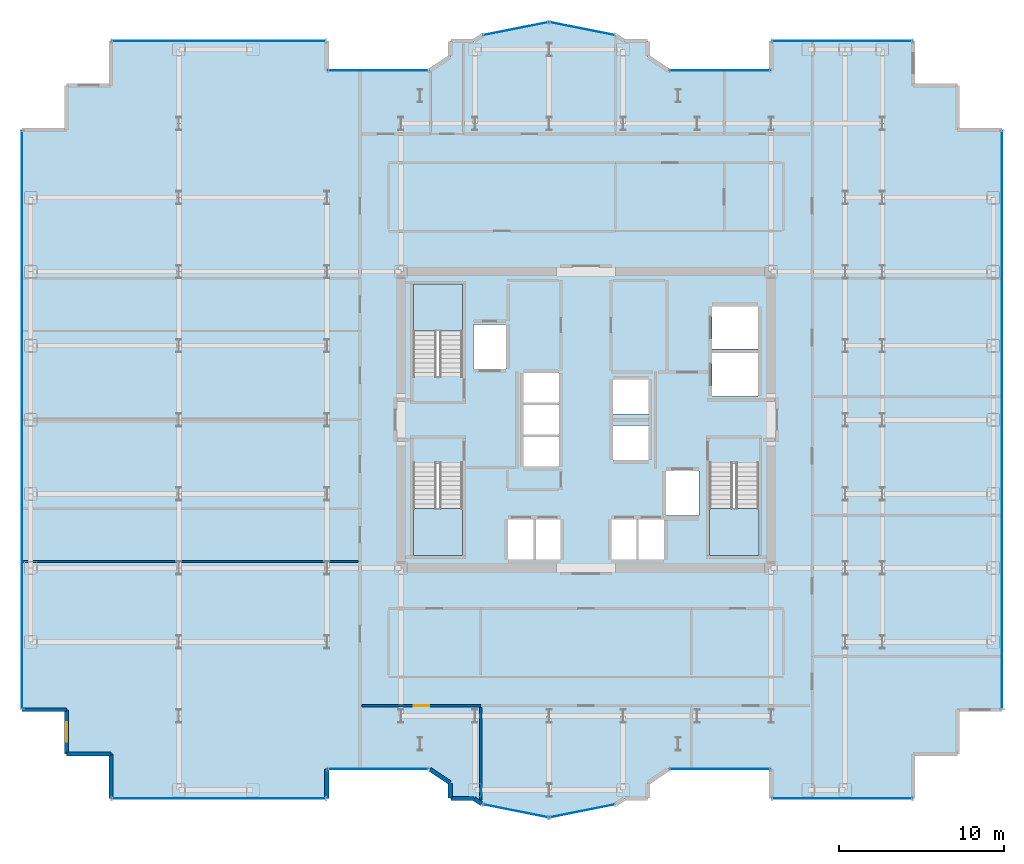
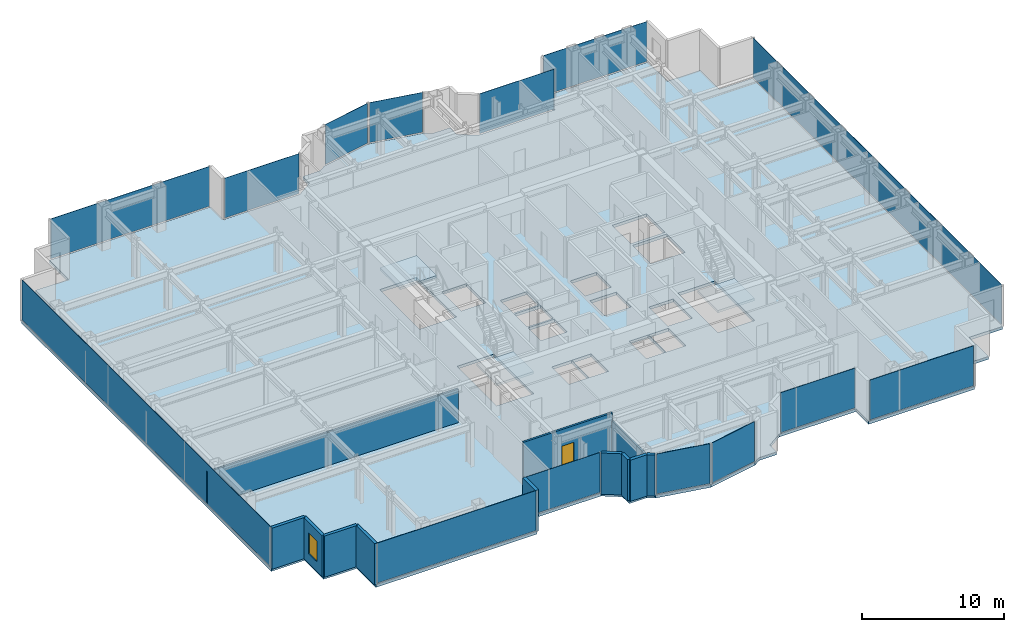
# One storey, part 16 of 23: 14 plates, 12 walls, 4 slabs, 1 door, 1 window, 2 openings, 17 elements without a shape of their own.
"""IFC4 building model written with IfcOpenShell, lengths in metres."""

from ifc_helpers import new_model, si_unit, direction, frame, frame_2d, origin, origin_2d, place, context, subcontext, project, spatial, polyline, rectangle, outline, extrude, source, transform, mapped, material, layer, layer_set, type_object, element, fill, aggregate, save


model = new_model("IFC4")

# Units and contexts
model_context = context("Model", 3, precision=1e-05, world=origin(), true_north=direction((0.0, 1.0)))
body_context = subcontext(model_context, "Body", "Model", "MODEL_VIEW")
ifc_project = project(units=[si_unit("LENGTHUNIT", "METRE"), si_unit("AREAUNIT", "SQUARE_METRE"), si_unit("VOLUMEUNIT", "CUBIC_METRE"), si_unit("PLANEANGLEUNIT", "RADIAN"), si_unit("MASSUNIT", "GRAM", prefix="KILO")], contexts=[model_context])

# Site, building, storey
site_placement = place(None, origin())
site = spatial("IfcSite", under=ifc_project, at=site_placement, CompositionType="ELEMENT")
building_placement = place(site_placement, origin())
building = spatial("IfcBuilding", under=site, at=building_placement, Name="Nefas-Gora Pilgrimage Tower", CompositionType="ELEMENT")
storey_placement = place(building_placement, frame((0.0, 0.0, 190.60009765625)))
storey = spatial("IfcBuildingStorey", under=building, at=storey_placement, Name="L47", CompositionType="ELEMENT", Elevation=190.60009765625)

# Slab
ifc_material_1 = material(Name="Concrete C40/50", Category="concrete")
ifc_layer_1 = layer(ifc_material_1, 0.25)
ifc_layer_set_1 = layer_set([ifc_layer_1], Name="Concrete C40/50")
slab_type_1 = type_object("IfcSlabType", Name="SLB-TWR-250", PredefinedType="FLOOR", material=ifc_layer_set_1)
slab_1_placement = place(storey_placement, frame((0.0, 0.0, -0.25)))
element("IfcSlab", 1, at=slab_1_placement, inside=storey, type_object=slab_type_1, Name="L47 Structural Floor Slab", PredefinedType="FLOOR", context=body_context, shape_type="SweptSolid", body=[
    extrude(outline(polyline([(5.01806640625, -21.219970703125), (11.25, -21.219970703125), (11.25, -23.02001953125), (19.8701171875, -23.02001953125), (19.8701171875, -20.320068359375), (22.570068359375, -20.320068359375), (22.570068359375, -17.6201171875), (25.27001953125, -17.6201171875), (25.27001953125, 17.6201171875), (22.570068359375, 17.6201171875), (22.570068359375, 20.320068359375), (19.8701171875, 20.320068359375), (19.8701171875, 23.02001953125), (11.25, 23.02001953125), (11.25, 21.219970703125), (5.01806640625, 21.219970703125), (3.75, 22.0673828125), (3.75, 23.02001953125), (2.32421875, 23.02001953125), (1.807373046875, 23.365234375), (-2.25, 24.17236328125), (-6.307373046875, 23.365234375), (-6.82421875, 23.02001953125), (-8.25, 23.02001953125), (-8.25, 22.0673828125), (-9.51806640625, 21.219970703125), (-15.75, 21.219970703125), (-15.75, 23.02001953125), (-28.8701171875, 23.02001953125), (-28.8701171875, 20.320068359375), (-31.570068359375, 20.320068359375), (-31.570068359375, 17.6201171875), (-34.27001953125, 17.6201171875), (-34.27001953125, -17.6201171875), (-31.570068359375, -17.6201171875), (-31.570068359375, -20.320068359375), (-28.8701171875, -20.320068359375), (-28.8701171875, -23.02001953125), (-15.75, -23.02001953125), (-15.75, -21.219970703125), (-9.51806640625, -21.219970703125), (-8.25, -22.0673828125), (-8.25, -23.02001953125), (-6.82421875, -23.02001953125), (-6.307373046875, -23.365234375), (-2.25, -24.17236328125), (1.807373046875, -23.365234375), (2.32421875, -23.02001953125), (3.75, -23.02001953125), (3.75, -22.0673828125), (5.01806640625, -21.219970703125)]), holes=[polyline([(-10.5, 2.639892578125), (-10.5, 8.25), (-7.5, 8.25), (-7.5, 2.639892578125), (-10.5, 2.639892578125)]), polyline([(10.5, -2.639892578125), (10.5, -8.25), (7.5, -8.25), (7.5, -2.639892578125), (10.5, -2.639892578125)]), polyline([(-7.5, -2.639892578125), (-7.5, -8.25), (-10.5, -8.25), (-10.5, -2.639892578125), (-7.5, -2.639892578125)]), polyline([(-6.85009765625, 5.800048828125), (-4.85009765625, 5.800048828125), (-4.85009765625, 3.10009765625), (-6.85009765625, 3.10009765625), (-6.85009765625, 5.800048828125)]), polyline([(4.85009765625, -3.10009765625), (6.85009765625, -3.10009765625), (6.85009765625, -5.800048828125), (4.85009765625, -5.800048828125), (4.85009765625, -3.10009765625)]), polyline([(7.64990234375, 4.050048828125), (10.449951171875, 4.050048828125), (10.449951171875, 1.449951171875), (7.64990234375, 1.449951171875), (7.64990234375, 4.050048828125)]), polyline([(7.64990234375, 6.89990234375), (10.449951171875, 6.89990234375), (10.449951171875, 4.300048828125), (7.64990234375, 4.300048828125), (7.64990234375, 6.89990234375)]), polyline([(-4.75, -6.050048828125), (-3.14990234375, -6.050048828125), (-3.14990234375, -8.5), (-4.75, -8.5), (-4.75, -6.050048828125)]), polyline([(-3.10009765625, -6.050048828125), (-1.550048828125, -6.050048828125), (-1.550048828125, -8.5), (-3.10009765625, -8.5), (-3.10009765625, -6.050048828125)]), polyline([(1.550048828125, -6.050048828125), (3.10009765625, -6.050048828125), (3.10009765625, -8.5), (1.550048828125, -8.5), (1.550048828125, -6.050048828125)]), polyline([(3.14990234375, -6.050048828125), (4.75, -6.050048828125), (4.75, -8.5), (3.14990234375, -8.5), (3.14990234375, -6.050048828125)]), polyline([(-3.800048828125, -1.050048828125), (-1.64990234375, -1.050048828125), (-1.64990234375, -2.85009765625), (-3.800048828125, -2.85009765625), (-3.800048828125, -1.050048828125)]), polyline([(-3.800048828125, 0.89990234375), (-1.64990234375, 0.89990234375), (-1.64990234375, -0.89990234375), (-3.800048828125, -0.89990234375), (-3.800048828125, 0.89990234375)]), polyline([(-3.800048828125, 2.85009765625), (-1.64990234375, 2.85009765625), (-1.64990234375, 1.050048828125), (-3.800048828125, 1.050048828125), (-3.800048828125, 2.85009765625)]), polyline([(1.64990234375, -0.35009765625), (3.800048828125, -0.35009765625), (3.800048828125, -2.449951171875), (1.64990234375, -2.449951171875), (1.64990234375, -0.35009765625)]), polyline([(1.64990234375, 2.449951171875), (3.800048828125, 2.449951171875), (3.800048828125, 0.35009765625), (1.64990234375, 0.35009765625), (1.64990234375, 2.449951171875)])]), origin(), (0.0, 0.0, 1.0), 0.25),
])

# Stair, slab
ifc_material_2 = material(Name="Concrete C45/55", Category="concrete")
stair_type = type_object("IfcStairType", Name="STR-1400-R1727", PredefinedType="HALF_TURN_STAIR", material=ifc_material_2)
stair_1_placement = place(storey_placement, origin())
stair_1 = element("IfcStair", 2, at=stair_1_placement, inside=storey, type_object=stair_type, Name="L47 Pressurised Tower Exit Stair ST-01", PredefinedType="HALF_TURN_STAIR")
ifc_layer_2 = layer(ifc_material_1, 0.199951171875)
ifc_layer_set_2 = layer_set([ifc_layer_2], Name="Concrete C40/50")
slab_type_2 = type_object("IfcSlabType", Name="STR-LAND-200", PredefinedType="LANDING", material=ifc_layer_set_2)
slab_2_placement = place(storey_placement, frame((0.0, 0.0, 1.699951171875)))
slab_2 = element("IfcSlab", 3, at=slab_2_placement, type_object=slab_type_2, Name="ST-01 landing 1", PredefinedType="LANDING", context=body_context, shape_type="SweptSolid", body=[
    extrude(outline(polyline([(-7.5, 5.39990234375), (-7.5, 8.25), (-10.5, 8.25), (-10.5, 5.39990234375), (-7.5, 5.39990234375)])), origin(), (0.0, 0.0, 1.0), 0.199951171875),
])
aggregate(stair_1, [slab_2])

stair_2_placement = place(storey_placement, origin())
stair_2 = element("IfcStair", 4, at=stair_2_placement, inside=storey, type_object=stair_type, Name="L47 Pressurised Tower Exit Stair ST-02", PredefinedType="HALF_TURN_STAIR")
slab_3_placement = place(storey_placement, frame((0.0, 0.0, 1.699951171875)))
slab_3 = element("IfcSlab", 5, at=slab_3_placement, type_object=slab_type_2, Name="ST-02 landing 1", PredefinedType="LANDING", context=body_context, shape_type="SweptSolid", body=[
    extrude(outline(polyline([(7.5, -5.39990234375), (7.5, -8.25), (10.5, -8.25), (10.5, -5.39990234375), (7.5, -5.39990234375)])), origin(), (0.0, 0.0, 1.0), 0.199951171875),
])
aggregate(stair_2, [slab_3])

stair_3_placement = place(storey_placement, origin())
stair_3 = element("IfcStair", 6, at=stair_3_placement, inside=storey, type_object=stair_type, Name="L47 Pressurised Tower Exit Stair ST-03", PredefinedType="HALF_TURN_STAIR")
slab_4_placement = place(storey_placement, frame((0.0, 0.0, 1.699951171875)))
slab_4 = element("IfcSlab", 7, at=slab_4_placement, type_object=slab_type_2, Name="ST-03 landing 1", PredefinedType="LANDING", context=body_context, shape_type="SweptSolid", body=[
    extrude(outline(polyline([(-10.5, -5.39990234375), (-10.5, -8.25), (-7.5, -8.25), (-7.5, -5.39990234375), (-10.5, -5.39990234375)])), origin(), (0.0, 0.0, 1.0), 0.199951171875),
])
aggregate(stair_3, [slab_4])

# Curtain wall, plate
ifc_material_3 = material(Name="Dark ceramic-fritted solar-control aluminium-glass curtain wall", Category="aluminium")
ifc_layer_3 = layer(ifc_material_3, 0.219970703125)
ifc_layer_set_3 = layer_set([ifc_layer_3], Name="Dark ceramic-fritted solar-control aluminium-glass curtain wall")
curtain_wall_type_1 = type_object("IfcCurtainWallType", Name="CW-SYS-5", PredefinedType="NOTDEFINED", material=ifc_layer_set_3)
curtain_wall_1_placement = place(storey_placement, origin())
curtain_wall_1 = element("IfcCurtainWall", 8, at=curtain_wall_1_placement, inside=storey, type_object=curtain_wall_type_1, Name="L47 Unitised Curtain Wall CW5", PredefinedType="NOTDEFINED")
ifc_material_4 = material(Name="Dark ceramic-printed low-e insulated glass", Category="glass")
ifc_layer_4 = layer(ifc_material_4, 0.028076171875)
ifc_layer_set_4 = layer_set([ifc_layer_4], Name="Dark ceramic-printed low-e insulated glass")
plate_type_1 = type_object("IfcPlateType", Name="CWP-PNL-5", PredefinedType="CURTAIN_PANEL", material=ifc_layer_set_4)
shared_shape_1 = source(origin(), body_context, "Body", "SweptSolid", [
    extrude(rectangle(XDim=6.052001953125, YDim=0.028076171875, at=origin_2d()), origin(), (0.0, 0.0, 1.0), 3.43994140625),
])
plate_1_placement = place(storey_placement, frame((8.134033203125, -21.219970703125, 0.099853515625), z_axis=(0.0, 0.0, 1.0), x_axis=(1.0, 0.0, 0.0)))
plate_1 = element("IfcPlate", 9, at=plate_1_placement, type_object=plate_type_1, Name="CW5 Ceramic-Fritted Glazing Panel 1", PredefinedType="CURTAIN_PANEL", context=body_context, shape_type="MappedRepresentation", body=[
    mapped(shared_shape_1, transform((0.0, 0.0, 0.0), x_axis=(1.0, 0.0, 0.0), y_axis=(0.0, 1.0, 0.0), z_axis=(0.0, 0.0, 1.0), scale=1.0)),
])
aggregate(curtain_wall_1, [plate_1])

curtain_wall_2_placement = place(storey_placement, origin())
curtain_wall_2 = element("IfcCurtainWall", 10, at=curtain_wall_2_placement, inside=storey, type_object=curtain_wall_type_1, Name="L47 Unitised Curtain Wall CW5", PredefinedType="NOTDEFINED")
plate_2_placement = place(storey_placement, frame((8.134033203125, 21.219970703125, 0.099853515625), z_axis=(0.0, 0.0, 1.0), x_axis=(-1.0, 0.0, 0.0)))
plate_2 = element("IfcPlate", 11, at=plate_2_placement, type_object=plate_type_1, Name="CW5 Ceramic-Fritted Glazing Panel 1", PredefinedType="CURTAIN_PANEL", context=body_context, shape_type="MappedRepresentation", body=[
    mapped(shared_shape_1, transform((0.0, 0.0, 0.0), x_axis=(1.0, 0.0, 0.0), y_axis=(0.0, 1.0, 0.0), z_axis=(0.0, 0.0, 1.0), scale=1.0)),
])
aggregate(curtain_wall_2, [plate_2])

curtain_wall_3_placement = place(storey_placement, origin())
curtain_wall_3 = element("IfcCurtainWall", 12, at=curtain_wall_3_placement, inside=storey, type_object=curtain_wall_type_1, Name="L47 Unitised Curtain Wall CW5", PredefinedType="NOTDEFINED")
plate_3_placement = place(storey_placement, frame((-12.634033203125, 21.219970703125, 0.099853515625), z_axis=(0.0, 0.0, 1.0), x_axis=(-1.0, 0.0, 0.0)))
plate_3 = element("IfcPlate", 13, at=plate_3_placement, type_object=plate_type_1, Name="CW5 Ceramic-Fritted Glazing Panel 1", PredefinedType="CURTAIN_PANEL", context=body_context, shape_type="MappedRepresentation", body=[
    mapped(shared_shape_1, transform((0.0, 0.0, 0.0), x_axis=(1.0, 0.0, 0.0), y_axis=(0.0, 1.0, 0.0), z_axis=(0.0, 0.0, 1.0), scale=1.0)),
])
aggregate(curtain_wall_3, [plate_3])

curtain_wall_4_placement = place(storey_placement, origin())
curtain_wall_4 = element("IfcCurtainWall", 14, at=curtain_wall_4_placement, inside=storey, type_object=curtain_wall_type_1, Name="L47 Unitised Curtain Wall CW5", PredefinedType="NOTDEFINED")
plate_4_placement = place(storey_placement, frame((-12.634033203125, -21.219970703125, 0.099853515625), z_axis=(0.0, 0.0, 1.0), x_axis=(1.0, 0.0, 0.0)))
plate_4 = element("IfcPlate", 15, at=plate_4_placement, type_object=plate_type_1, Name="CW5 Ceramic-Fritted Glazing Panel 1", PredefinedType="CURTAIN_PANEL", context=body_context, shape_type="MappedRepresentation", body=[
    mapped(shared_shape_1, transform((0.0, 0.0, 0.0), x_axis=(1.0, 0.0, 0.0), y_axis=(0.0, 1.0, 0.0), z_axis=(0.0, 0.0, 1.0), scale=1.0)),
])
aggregate(curtain_wall_4, [plate_4])

curtain_wall_5_placement = place(storey_placement, origin())
curtain_wall_5 = element("IfcCurtainWall", 16, at=curtain_wall_5_placement, inside=storey, type_object=curtain_wall_type_1, Name="L47 Unitised Curtain Wall CW5", PredefinedType="NOTDEFINED")
shared_shape_2 = source(origin(), body_context, "Body", "SweptSolid", [
    extrude(rectangle(XDim=3.956787109375, YDim=0.028076171875, at=origin_2d()), origin(), (0.0, 0.0, 1.0), 3.43994140625),
])
plate_5_placement = place(storey_placement, frame((-0.22119140625, 23.768798828125, 0.099853515625), z_axis=(0.0, 0.0, 1.0), x_axis=(-0.980782896852, 0.195102304554, 0.0)))
plate_5 = element("IfcPlate", 17, at=plate_5_placement, type_object=plate_type_1, Name="CW5 Ceramic-Fritted Glazing Panel 1", PredefinedType="CURTAIN_PANEL", context=body_context, shape_type="MappedRepresentation", body=[
    mapped(shared_shape_2, transform((0.0, 0.0, 0.0), x_axis=(1.0, 0.0, 0.0), y_axis=(0.0, 1.0, 0.0), z_axis=(0.0, 0.0, 1.0), scale=1.0)),
])
aggregate(curtain_wall_5, [plate_5])

curtain_wall_6_placement = place(storey_placement, origin())
curtain_wall_6 = element("IfcCurtainWall", 18, at=curtain_wall_6_placement, inside=storey, type_object=curtain_wall_type_1, Name="L47 Unitised Curtain Wall CW5", PredefinedType="NOTDEFINED")
plate_6_placement = place(storey_placement, frame((-4.278564453125, 23.768798828125, 0.099853515625), z_axis=(0.0, 0.0, 1.0), x_axis=(-0.980782896852, -0.195102304554, 0.0)))
plate_6 = element("IfcPlate", 19, at=plate_6_placement, type_object=plate_type_1, Name="CW5 Ceramic-Fritted Glazing Panel 1", PredefinedType="CURTAIN_PANEL", context=body_context, shape_type="MappedRepresentation", body=[
    mapped(shared_shape_2, transform((0.0, 0.0, 0.0), x_axis=(1.0, 0.0, 0.0), y_axis=(0.0, 1.0, 0.0), z_axis=(0.0, 0.0, 1.0), scale=1.0)),
])
aggregate(curtain_wall_6, [plate_6])

curtain_wall_7_placement = place(storey_placement, origin())
curtain_wall_7 = element("IfcCurtainWall", 20, at=curtain_wall_7_placement, inside=storey, type_object=curtain_wall_type_1, Name="L47 Unitised Curtain Wall CW5", PredefinedType="NOTDEFINED")
plate_7_placement = place(storey_placement, frame((-4.278564453125, -23.768798828125, 0.099853515625), z_axis=(0.0, 0.0, 1.0), x_axis=(0.980782896852, -0.195102304554, 0.0)))
plate_7 = element("IfcPlate", 21, at=plate_7_placement, type_object=plate_type_1, Name="CW5 Ceramic-Fritted Glazing Panel 1", PredefinedType="CURTAIN_PANEL", context=body_context, shape_type="MappedRepresentation", body=[
    mapped(shared_shape_2, transform((0.0, 0.0, 0.0), x_axis=(1.0, 0.0, 0.0), y_axis=(0.0, 1.0, 0.0), z_axis=(0.0, 0.0, 1.0), scale=1.0)),
])
aggregate(curtain_wall_7, [plate_7])

curtain_wall_8_placement = place(storey_placement, origin())
curtain_wall_8 = element("IfcCurtainWall", 22, at=curtain_wall_8_placement, inside=storey, type_object=curtain_wall_type_1, Name="L47 Unitised Curtain Wall CW5", PredefinedType="NOTDEFINED")
plate_8_placement = place(storey_placement, frame((-0.221435546875, -23.768798828125, 0.099853515625), z_axis=(0.0, 0.0, 1.0), x_axis=(0.980782896852, 0.195102304554, 0.0)))
plate_8 = element("IfcPlate", 23, at=plate_8_placement, type_object=plate_type_1, Name="CW5 Ceramic-Fritted Glazing Panel 1", PredefinedType="CURTAIN_PANEL", context=body_context, shape_type="MappedRepresentation", body=[
    mapped(shared_shape_2, transform((0.0, 0.0, 0.0), x_axis=(1.0, 0.0, 0.0), y_axis=(0.0, 1.0, 0.0), z_axis=(0.0, 0.0, 1.0), scale=1.0)),
])
aggregate(curtain_wall_8, [plate_8])

ifc_layer_5 = layer(ifc_material_3, 0.219970703125)
ifc_layer_set_5 = layer_set([ifc_layer_5], Name="Dark ceramic-fritted solar-control aluminium-glass curtain wall")
curtain_wall_type_2 = type_object("IfcCurtainWallType", Name="CW-SYS-3", PredefinedType="NOTDEFINED", material=ifc_layer_set_5)
curtain_wall_9_placement = place(storey_placement, origin())
curtain_wall_9 = element("IfcCurtainWall", 24, at=curtain_wall_9_placement, inside=storey, type_object=curtain_wall_type_2, Name="L47 Unitised Curtain Wall CW3", PredefinedType="NOTDEFINED")
ifc_layer_6 = layer(ifc_material_4, 0.033935546875)
ifc_layer_set_6 = layer_set([ifc_layer_6], Name="Dark ceramic-printed low-e insulated glass")
plate_type_2 = type_object("IfcPlateType", Name="CWP-PNL-3", PredefinedType="CURTAIN_PANEL", material=ifc_layer_set_6)
shared_shape_3 = source(origin(), body_context, "Body", "SweptSolid", [
    extrude(rectangle(XDim=8.43994140625, YDim=0.033935546875, at=origin_2d()), origin(), (0.0, 0.0, 1.0), 3.43994140625),
])
plate_9_placement = place(storey_placement, frame((15.56005859375, -23.02001953125, 0.099853515625), z_axis=(0.0, 0.0, 1.0), x_axis=(1.0, 0.0, 0.0)))
plate_9 = element("IfcPlate", 25, at=plate_9_placement, type_object=plate_type_2, Name="CW3 Ceramic-Fritted Glazing Panel 1", PredefinedType="CURTAIN_PANEL", context=body_context, shape_type="MappedRepresentation", body=[
    mapped(shared_shape_3, transform((0.0, 0.0, 0.0), x_axis=(1.0, 0.0, 0.0), y_axis=(0.0, 1.0, 0.0), z_axis=(0.0, 0.0, 1.0), scale=1.0)),
])
aggregate(curtain_wall_9, [plate_9])

curtain_wall_10_placement = place(storey_placement, origin())
curtain_wall_10 = element("IfcCurtainWall", 26, at=curtain_wall_10_placement, inside=storey, type_object=curtain_wall_type_2, Name="L47 Unitised Curtain Wall CW3", PredefinedType="NOTDEFINED")
plate_10_placement = place(storey_placement, frame((15.56005859375, 23.02001953125, 0.099853515625), z_axis=(0.0, 0.0, 1.0), x_axis=(-1.0, 0.0, 0.0)))
plate_10 = element("IfcPlate", 27, at=plate_10_placement, type_object=plate_type_2, Name="CW3 Ceramic-Fritted Glazing Panel 1", PredefinedType="CURTAIN_PANEL", context=body_context, shape_type="MappedRepresentation", body=[
    mapped(shared_shape_3, transform((0.0, 0.0, 0.0), x_axis=(1.0, 0.0, 0.0), y_axis=(0.0, 1.0, 0.0), z_axis=(0.0, 0.0, 1.0), scale=1.0)),
])
aggregate(curtain_wall_10, [plate_10])

curtain_wall_11_placement = place(storey_placement, origin())
curtain_wall_11 = element("IfcCurtainWall", 28, at=curtain_wall_11_placement, inside=storey, type_object=curtain_wall_type_2, Name="L47 Unitised Curtain Wall CW3", PredefinedType="NOTDEFINED")
shared_shape_4 = source(origin(), body_context, "Body", "SweptSolid", [
    extrude(rectangle(XDim=12.93994140625, YDim=0.033935546875, at=origin_2d()), origin(), (0.0, 0.0, 1.0), 3.43994140625),
])
plate_11_placement = place(storey_placement, frame((-22.31005859375, 23.02001953125, 0.099853515625), z_axis=(0.0, 0.0, 1.0), x_axis=(-1.0, 0.0, 0.0)))
plate_11 = element("IfcPlate", 29, at=plate_11_placement, type_object=plate_type_2, Name="CW3 Ceramic-Fritted Glazing Panel 1", PredefinedType="CURTAIN_PANEL", context=body_context, shape_type="MappedRepresentation", body=[
    mapped(shared_shape_4, transform((0.0, 0.0, 0.0), x_axis=(1.0, 0.0, 0.0), y_axis=(0.0, 1.0, 0.0), z_axis=(0.0, 0.0, 1.0), scale=1.0)),
])
aggregate(curtain_wall_11, [plate_11])

curtain_wall_12_placement = place(storey_placement, origin())
curtain_wall_12 = element("IfcCurtainWall", 30, at=curtain_wall_12_placement, inside=storey, type_object=curtain_wall_type_2, Name="L47 Unitised Curtain Wall CW3", PredefinedType="NOTDEFINED")
plate_12_placement = place(storey_placement, frame((-22.31005859375, -23.02001953125, 0.099853515625), z_axis=(0.0, 0.0, 1.0), x_axis=(1.0, 0.0, 0.0)))
plate_12 = element("IfcPlate", 31, at=plate_12_placement, type_object=plate_type_2, Name="CW3 Ceramic-Fritted Glazing Panel 1", PredefinedType="CURTAIN_PANEL", context=body_context, shape_type="MappedRepresentation", body=[
    mapped(shared_shape_4, transform((0.0, 0.0, 0.0), x_axis=(1.0, 0.0, 0.0), y_axis=(0.0, 1.0, 0.0), z_axis=(0.0, 0.0, 1.0), scale=1.0)),
])
aggregate(curtain_wall_12, [plate_12])

curtain_wall_13_placement = place(storey_placement, origin())
curtain_wall_13 = element("IfcCurtainWall", 32, at=curtain_wall_13_placement, inside=storey, type_object=curtain_wall_type_2, Name="L47 Unitised Curtain Wall CW3", PredefinedType="NOTDEFINED")
shared_shape_5 = source(origin(), body_context, "Body", "SweptSolid", [
    extrude(rectangle(XDim=35.06005859375, YDim=0.033935546875, at=origin_2d()), origin(), (0.0, 0.0, 1.0), 3.43994140625),
])
plate_13_placement = place(storey_placement, frame((25.27001953125, 0.0, 0.099853515625), z_axis=(0.0, 0.0, 1.0), x_axis=(0.0, 1.0, 0.0)))
plate_13 = element("IfcPlate", 33, at=plate_13_placement, type_object=plate_type_2, Name="CW3 Ceramic-Fritted Glazing Panel 1", PredefinedType="CURTAIN_PANEL", context=body_context, shape_type="MappedRepresentation", body=[
    mapped(shared_shape_5, transform((0.0, 0.0, 0.0), x_axis=(1.0, 0.0, 0.0), y_axis=(0.0, 1.0, 0.0), z_axis=(0.0, 0.0, 1.0), scale=1.0)),
])
aggregate(curtain_wall_13, [plate_13])

curtain_wall_14_placement = place(storey_placement, origin())
curtain_wall_14 = element("IfcCurtainWall", 34, at=curtain_wall_14_placement, inside=storey, type_object=curtain_wall_type_2, Name="L47 Unitised Curtain Wall CW3", PredefinedType="NOTDEFINED")
plate_14_placement = place(storey_placement, frame((-34.27001953125, 0.0, 0.099853515625), z_axis=(0.0, 0.0, 1.0), x_axis=(0.0, -1.0, 0.0)))
plate_14 = element("IfcPlate", 35, at=plate_14_placement, type_object=plate_type_2, Name="CW3 Ceramic-Fritted Glazing Panel 1", PredefinedType="CURTAIN_PANEL", context=body_context, shape_type="MappedRepresentation", body=[
    mapped(shared_shape_5, transform((0.0, 0.0, 0.0), x_axis=(1.0, 0.0, 0.0), y_axis=(0.0, 1.0, 0.0), z_axis=(0.0, 0.0, 1.0), scale=1.0)),
])
aggregate(curtain_wall_14, [plate_14])

# Walls
ifc_material_5 = material(Name="Precast concrete C40/50", Category="concrete")
ifc_layer_7 = layer(ifc_material_5, 0.260009765625)
ifc_layer_set_7 = layer_set([ifc_layer_7], Name="Precast concrete C40/50")
wall_type_1 = type_object("IfcWallType", Name="EW-PORTAL-260", PredefinedType="SOLIDWALL", material=ifc_layer_set_7)
shared_shape_6 = source(origin(), body_context, "Body", "SweptSolid", [
    extrude(rectangle(XDim=1.800048828125, YDim=0.260009765625, at=frame_2d((0.89990234375, 0.0))), origin(), (0.0, 0.0, 1.0), 3.5498046875),
])
wall_1_placement = place(storey_placement, frame((-15.75, -23.02001953125, 0.0), z_axis=(0.0, 0.0, 1.0), x_axis=(0.0, 1.0, 0.0)))
element("IfcWall", 36, at=wall_1_placement, inside=storey, type_object=wall_type_1, Name="L47 Lobe Shoulder Precast Spandrel Pier 28", PredefinedType="SOLIDWALL", context=body_context, shape_type="MappedRepresentation", body=[
    mapped(shared_shape_6, transform((0.0, 0.0, 0.0), x_axis=(1.0, 0.0, 0.0), y_axis=(0.0, 1.0, 0.0), z_axis=(0.0, 0.0, 1.0), scale=1.0)),
])
ifc_material_6 = material(Name="Precast concrete C45/55", Category="concrete")
ifc_layer_8 = layer(ifc_material_6, 0.239990234375)
ifc_layer_set_8 = layer_set([ifc_layer_8], Name="Precast concrete C45/55")
wall_type_2 = type_object("IfcWallType", Name="EW-SERR-240", PredefinedType="SHEAR", material=ifc_layer_set_8)
shared_shape_7 = source(origin(), body_context, "Body", "SweptSolid", [
    extrude(rectangle(XDim=2.699951171875, YDim=0.239990234375, at=frame_2d((1.35009765625, 0.0))), origin(), (0.0, 0.0, 1.0), 3.5498046875),
])
wall_2_placement = place(storey_placement, frame((-34.27001953125, -17.6201171875, 0.0), z_axis=(0.0, 0.0, 1.0), x_axis=(1.0, 0.0, 0.0)))
element("IfcWall", 37, at=wall_2_placement, inside=storey, type_object=wall_type_2, Name="L47 Serrated Corner Shear Pier Wall 24", PredefinedType="SHEAR", context=body_context, shape_type="MappedRepresentation", body=[
    mapped(shared_shape_7, transform((0.0, 0.0, 0.0), x_axis=(1.0, 0.0, 0.0), y_axis=(0.0, 1.0, 0.0), z_axis=(0.0, 0.0, 1.0), scale=1.0)),
])

# Wall, opening, window
wall_3_placement = place(storey_placement, frame((-31.570068359375, -17.6201171875, 0.0), z_axis=(0.0, 0.0, 1.0), x_axis=(0.0, -1.0, 0.0)))
wall_3 = element("IfcWall", 38, at=wall_3_placement, inside=storey, type_object=wall_type_2, Name="L47 Serrated Corner Shear Pier Wall 25", PredefinedType="SHEAR", context=body_context, shape_type="MappedRepresentation", body=[
    mapped(shared_shape_7, transform((0.0, 0.0, 0.0), x_axis=(1.0, 0.0, 0.0), y_axis=(0.0, 1.0, 0.0), z_axis=(0.0, 0.0, 1.0), scale=1.0)),
])
opening_1_placement = place(wall_3_placement, frame((0.75, 0.0, 0.85009765625)))
opening_1 = element("IfcOpeningElement", 39, at=opening_1_placement, cuts=wall_3, Name="Opening W-V1", PredefinedType="OPENING", context=body_context, shape_type="SweptSolid", body=[
    extrude(rectangle(XDim=1.199951171875, YDim=1.800048828125, at=frame_2d((0.60009765625, 0.89990234375))), frame((0.0, 0.1298828125, 0.0), z_axis=(0.0, -1.0, 0.0), x_axis=(1.0, 0.0, 0.0)), (0.0, 0.0, 1.0), 0.260009765625),
])
ifc_material_7 = material(Name="Dark ceramic-fritted operable aluminium-glass window", Category="aluminium")
window_type = type_object("IfcWindowType", Name="WIN-VENT-1200x1800", PartitioningType="SINGLE_PANEL", PredefinedType="WINDOW", material=ifc_material_7)
shared_shape_8 = source(origin(), body_context, "Body", "SweptSolid", [
    extrude(rectangle(XDim=1.199951171875, YDim=1.800048828125, at=frame_2d((0.60009765625, 0.89990234375))), frame((0.0, 0.030029296875, 0.0), z_axis=(0.0, -1.0, 0.0), x_axis=(1.0, 0.0, 0.0)), (0.0, 0.0, 1.0), 0.06005859375),
])
window_placement = place(opening_1_placement, origin())
window = element("IfcWindow", 40, at=window_placement, inside=storey, type_object=window_type, Name="L47 Operable Parallel-Outswing Window 25", OverallHeight=1.800048828125, OverallWidth=1.199951171875, PartitioningType="SINGLE_PANEL", PredefinedType="WINDOW", context=body_context, shape_type="MappedRepresentation", body=[
    mapped(shared_shape_8, transform((0.0, 0.0, 0.0), x_axis=(1.0, 0.0, 0.0), y_axis=(0.0, 1.0, 0.0), z_axis=(0.0, 0.0, 1.0), scale=1.0)),
])
fill(opening_1, window)

# Walls
for number, where, z_axis, x_axis, name in (
    (41, (-31.570068359375, -20.320068359375, 0.0), (0.0, 0.0, 1.0), (1.0, 0.0, 0.0), "L47 Serrated Corner Shear Pier Wall 26"),
    (42, (-28.8701171875, -20.320068359375, 0.0), (0.0, 0.0, 1.0), (0.0, -1.0, 0.0), "L47 Serrated Corner Shear Pier Wall 27"),
):
    element("IfcWall", number, at=place(storey_placement, frame(where, z_axis=z_axis, x_axis=x_axis)), inside=storey, type_object=wall_type_2, Name=name, PredefinedType="SHEAR", context=body_context, shape_type="MappedRepresentation", body=[
        mapped(shared_shape_7, transform((0.0, 0.0, 0.0), x_axis=(1.0, 0.0, 0.0), y_axis=(0.0, 1.0, 0.0), z_axis=(0.0, 0.0, 1.0), scale=1.0)),
    ])
shared_shape_9 = source(origin(), body_context, "Body", "SweptSolid", [
    extrude(rectangle(XDim=1.468994140625, YDim=0.260009765625, at=frame_2d((0.734375, 0.0))), origin(), (0.0, 0.0, 1.0), 3.5498046875),
])
wall_4_placement = place(storey_placement, frame((-9.49462890625, -21.235595703125, 0.0), z_axis=(0.0, 0.0, 1.0), x_axis=(0.831461760506, -0.555581983884, 0.0)))
element("IfcWall", 43, at=wall_4_placement, inside=storey, type_object=wall_type_1, Name="L47 Lobe Shoulder Precast Spandrel Pier 29", PredefinedType="SOLIDWALL", context=body_context, shape_type="MappedRepresentation", body=[
    mapped(shared_shape_9, transform((0.0, 0.0, 0.0), x_axis=(1.0, 0.0, 0.0), y_axis=(0.0, 1.0, 0.0), z_axis=(0.0, 0.0, 1.0), scale=1.0)),
])
shared_shape_10 = source(origin(), body_context, "Body", "SweptSolid", [
    extrude(rectangle(XDim=0.896728515625, YDim=0.260009765625, at=frame_2d((0.4482421875, 0.0))), origin(), (0.0, 0.0, 1.0), 3.5498046875),
])
wall_5_placement = place(storey_placement, frame((-8.25, -22.09521484375, 0.0), z_axis=(0.0, 0.0, 1.0), x_axis=(0.0, -1.0, 0.0)))
element("IfcWall", 44, at=wall_5_placement, inside=storey, type_object=wall_type_1, Name="L47 Lobe Shoulder Precast Spandrel Pier 30", PredefinedType="SOLIDWALL", context=body_context, shape_type="MappedRepresentation", body=[
    mapped(shared_shape_10, transform((0.0, 0.0, 0.0), x_axis=(1.0, 0.0, 0.0), y_axis=(0.0, 1.0, 0.0), z_axis=(0.0, 0.0, 1.0), scale=1.0)),
])
shared_shape_11 = source(origin(), body_context, "Body", "SweptSolid", [
    extrude(rectangle(XDim=1.369873046875, YDim=0.260009765625, at=frame_2d((0.68505859375, 0.0))), origin(), (0.0, 0.0, 1.0), 3.5498046875),
])
wall_6_placement = place(storey_placement, frame((-8.221923828125, -23.02001953125, 0.0), z_axis=(0.0, 0.0, 1.0), x_axis=(1.0, 0.0, 0.0)))
element("IfcWall", 45, at=wall_6_placement, inside=storey, type_object=wall_type_1, Name="L47 Lobe Shoulder Precast Spandrel Pier 31", PredefinedType="SOLIDWALL", context=body_context, shape_type="MappedRepresentation", body=[
    mapped(shared_shape_11, transform((0.0, 0.0, 0.0), x_axis=(1.0, 0.0, 0.0), y_axis=(0.0, 1.0, 0.0), z_axis=(0.0, 0.0, 1.0), scale=1.0)),
])
shared_shape_12 = source(origin(), body_context, "Body", "SweptSolid", [
    extrude(rectangle(XDim=0.5654296875, YDim=0.260009765625, at=frame_2d((0.28271484375, 0.0))), origin(), (0.0, 0.0, 1.0), 3.5498046875),
])
wall_7_placement = place(storey_placement, frame((-6.80078125, -23.03564453125, 0.0), z_axis=(0.0, 0.0, 1.0), x_axis=(0.831651492666, -0.555297933317, 0.0)))
element("IfcWall", 46, at=wall_7_placement, inside=storey, type_object=wall_type_1, Name="L47 Lobe Shoulder Precast Spandrel Pier 32", PredefinedType="SOLIDWALL", context=body_context, shape_type="MappedRepresentation", body=[
    mapped(shared_shape_12, transform((0.0, 0.0, 0.0), x_axis=(1.0, 0.0, 0.0), y_axis=(0.0, 1.0, 0.0), z_axis=(0.0, 0.0, 1.0), scale=1.0)),
])

# Wall, opening, door
ifc_material_8 = material(Name="Gypsum acoustic stud partition")
ifc_layer_9 = layer(ifc_material_8, 0.159912109375)
ifc_layer_set_9 = layer_set([ifc_layer_9], Name="Gypsum acoustic stud partition")
wall_type_3 = type_object("IfcWallType", Name="IW-CORR-160", PredefinedType="PARTITIONING", material=ifc_layer_set_9)
shared_shape_13 = source(origin(), body_context, "Body", "SweptSolid", [
    extrude(rectangle(XDim=7.22509765625, YDim=0.159912109375, at=frame_2d((3.612548828125, 0.0))), origin(), (0.0, 0.0, 1.0), 3.534912109375),
])
wall_8_placement = place(storey_placement, frame((-13.6201171875, -17.3701171875, 0.0), z_axis=(0.0, 0.0, 1.0), x_axis=(1.0, 0.0, 0.0)))
wall_8 = element("IfcWall", 47, at=wall_8_placement, inside=storey, type_object=wall_type_3, Name="L47 Pilgrim Contemplative Lounge Partition Wall 64", PredefinedType="PARTITIONING", context=body_context, shape_type="MappedRepresentation", body=[
    mapped(shared_shape_13, transform((0.0, 0.0, 0.0), x_axis=(1.0, 0.0, 0.0), y_axis=(0.0, 1.0, 0.0), z_axis=(0.0, 0.0, 1.0), scale=1.0)),
])
opening_2_placement = place(wall_8_placement, frame((3.137451171875, 0.0, 0.0)))
opening_2 = element("IfcOpeningElement", 48, at=opening_2_placement, cuts=wall_8, Name="Opening ID-GR1", PredefinedType="OPENING", context=body_context, shape_type="SweptSolid", body=[
    extrude(rectangle(XDim=0.949951171875, YDim=2.10009765625, at=frame_2d((0.47509765625, 1.050048828125))), frame((0.0, 0.08984375, 0.0), z_axis=(0.0, -1.0, 0.0), x_axis=(1.0, 0.0, 0.0)), (0.0, 0.0, 1.0), 0.179931640625),
])
ifc_material_9 = material(Name="Solid core oak fire-rated guest entrance door")
door_type = type_object("IfcDoorType", Name="DR-INT-GUEST-950", OperationType="NOTDEFINED", PredefinedType="DOOR", material=ifc_material_9)
shared_shape_14 = source(origin(), body_context, "Body", "SweptSolid", [
    extrude(rectangle(XDim=0.949951171875, YDim=2.10009765625, at=frame_2d((0.47509765625, 1.050048828125))), frame((0.0, 0.02490234375, 0.0), z_axis=(0.0, -1.0, 0.0), x_axis=(1.0, 0.0, 0.0)), (0.0, 0.0, 1.0), 0.050048828125),
])
door_placement = place(opening_2_placement, origin())
door = element("IfcDoor", 49, at=door_placement, inside=storey, type_object=door_type, Name="L47 Pilgrim Contemplative Lounge Door 29", OperationType="SINGLE_SWING_RIGHT", OverallHeight=2.10009765625, OverallWidth=0.949951171875, PredefinedType="DOOR", context=body_context, shape_type="MappedRepresentation", body=[
    mapped(shared_shape_14, transform((0.0, 0.0, 0.0), x_axis=(1.0, 0.0, 0.0), y_axis=(0.0, 1.0, 0.0), z_axis=(0.0, 0.0, 1.0), scale=1.0)),
])
fill(opening_2, door)

# Walls
ifc_material_10 = material(Name="Gypsum twin-stud partition")
ifc_layer_10 = layer(ifc_material_10, 0.139892578125)
ifc_layer_set_10 = layer_set([ifc_layer_10], Name="Gypsum twin-stud partition")
wall_type_4 = type_object("IfcWallType", Name="IW-UNIT-140", PredefinedType="PARTITIONING", material=ifc_layer_set_10)
shared_shape_15 = source(origin(), body_context, "Body", "SweptSolid", [
    extrude(rectangle(XDim=20.429931640625, YDim=0.139892578125, at=frame_2d((10.21484375, 0.0))), origin(), (0.0, 0.0, 1.0), 2.875),
])
wall_9_placement = place(storey_placement, frame((-34.2900390625, -8.60498046875, 0.0), z_axis=(0.0, 0.0, 1.0), x_axis=(1.0, 0.0, 0.0)))
element("IfcWall", 50, at=wall_9_placement, inside=storey, type_object=wall_type_4, Name="L47 Pilgrim Floor Concierge Foyer Partition Wall 29", PredefinedType="PARTITIONING", context=body_context, shape_type="MappedRepresentation", body=[
    mapped(shared_shape_15, transform((0.0, 0.0, 0.0), x_axis=(1.0, 0.0, 0.0), y_axis=(0.0, 1.0, 0.0), z_axis=(0.0, 0.0, 1.0), scale=1.0)),
])
shared_shape_16 = source(origin(), body_context, "Body", "SweptSolid", [
    extrude(rectangle(XDim=5.60791015625, YDim=0.139892578125, at=frame_2d((2.803955078125, 0.0))), origin(), (0.0, 0.0, 1.0), 2.875),
])
wall_10_placement = place(storey_placement, frame((-6.405029296875, -23.097900390625, 0.0), z_axis=(0.0, 0.0, 1.0), x_axis=(0.0, 1.0, 0.0)))
element("IfcWall", 51, at=wall_10_placement, inside=storey, type_object=wall_type_4, Name="L47 Pilgrim Contemplative Lounge Partition Wall 65", PredefinedType="PARTITIONING", context=body_context, shape_type="MappedRepresentation", body=[
    mapped(shared_shape_16, transform((0.0, 0.0, 0.0), x_axis=(1.0, 0.0, 0.0), y_axis=(0.0, 1.0, 0.0), z_axis=(0.0, 0.0, 1.0), scale=1.0)),
])

save(model, "model.ifc")
